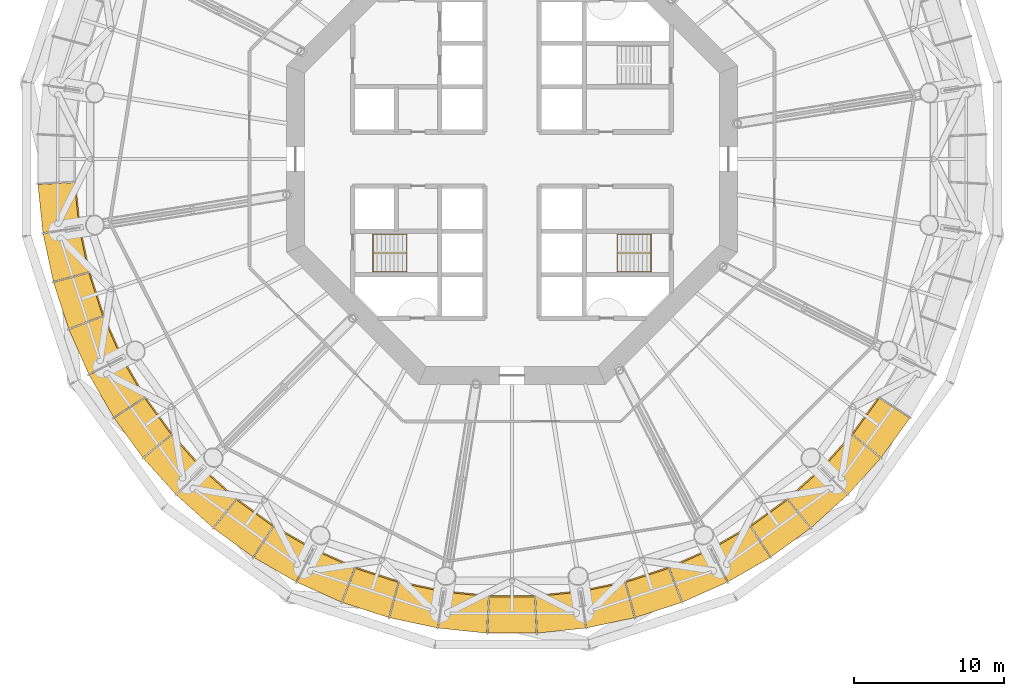
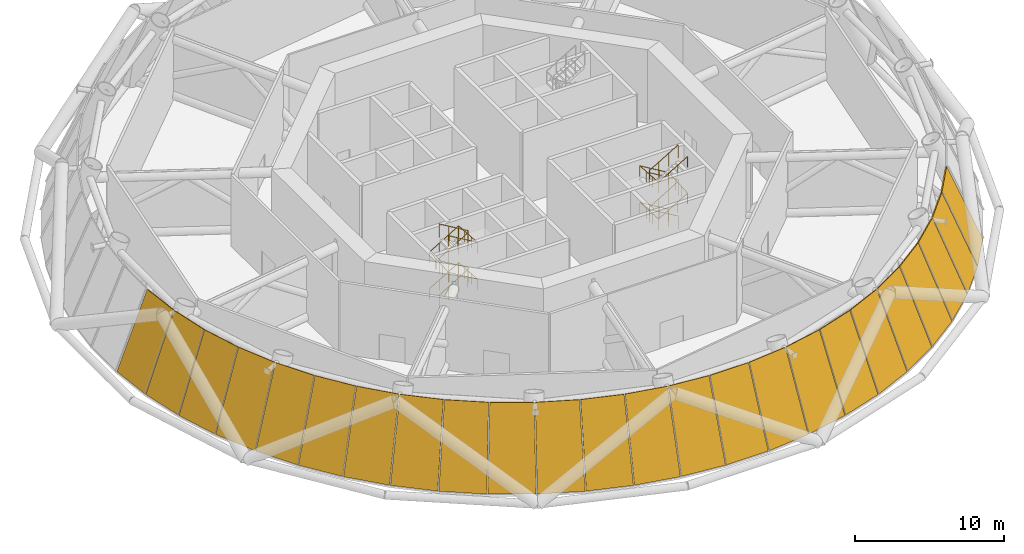
# One storey, part 17 of 18: 24 shading devices, 4 railings.
"""IFC4 building model written with IfcOpenShell, lengths in metres."""

from ifc_helpers import new_model, si_unit, direction, frame, origin, origin_2d, place, context, subcontext, project, spatial, polyline, circle, outline, extrude, material, layer, layer_set, type_object, element, save


model = new_model("IFC4")

# Units and contexts
model_context = context("Model", 3, precision=1e-05, world=origin(), true_north=direction((0.0, 1.0)))
body_context = subcontext(model_context, "Body", "Model", "MODEL_VIEW")
ifc_project = project(units=[si_unit("LENGTHUNIT", "METRE"), si_unit("AREAUNIT", "SQUARE_METRE"), si_unit("VOLUMEUNIT", "CUBIC_METRE"), si_unit("PLANEANGLEUNIT", "RADIAN"), si_unit("MASSUNIT", "GRAM", prefix="KILO")], contexts=[model_context])

# Site, building, storey
site_placement = place(None, origin())
site = spatial("IfcSite", under=ifc_project, at=site_placement, CompositionType="ELEMENT")
building_placement = place(site_placement, origin())
building = spatial("IfcBuilding", under=site, at=building_placement, Name="Entoto Ring Tower", CompositionType="ELEMENT")
storey_placement = place(building_placement, frame((0.0, 0.0, 138.0)))
storey = spatial("IfcBuildingStorey", under=building, at=storey_placement, Name="L31", CompositionType="ELEMENT", Elevation=138.0)

# Shading devices
ifc_material_1 = material(Name="Anodised aluminium", Category="aluminium")
ifc_layer = layer(ifc_material_1, 0.10009765625)
ifc_layer_set = layer_set([ifc_layer], Name="Anodised aluminium")
shading_device_type = type_object("IfcShadingDeviceType", Name="Louvre bank 100 mm anodised aluminium", PredefinedType="JALOUSIE", material=ifc_layer_set)
shading_device_1_placement = place(storey_placement, frame((58.455078125, 78.306640625, 0.03857421875), z_axis=(-0.918020988674, -0.096476902825, 0.384616265355), x_axis=(0.104513003067, -0.99452352014, -8.888352e-06)))
element("IfcShadingDevice", 1, at=shading_device_1_placement, inside=storey, type_object=shading_device_type, Name="LOUVRE L31-29", PredefinedType="JALOUSIE", context=body_context, shape_type="SweptSolid", body=[
    extrude(outline(polyline([(0.0, 0.0), (3.2266478530153275, 0.0), (3.099590097024741, 6.2958494066413015), (0.12675687393021692, 6.295789711517468), (0.0, 0.0)])), origin(), (0.0, 0.0, -1.0), 0.10009765625),
])
shading_device_2_placement = place(storey_placement, frame((58.804931640625, 75.0185546875, 0.03857421875), z_axis=(-0.902909840712, -0.191938318663, 0.384595243566), x_axis=(0.20793140203, -0.978143410779, 2.7928e-07)))
element("IfcShadingDevice", 2, at=shading_device_2_placement, inside=storey, type_object=shading_device_type, Name="LOUVRE L31-30", PredefinedType="JALOUSIE", context=body_context, shape_type="SweptSolid", body=[
    extrude(outline(polyline([(0.0, 0.0), (3.2265271884556905, -5.551115123125783e-17), (3.0997850063183683, 6.295758883647002), (0.12684836673709754, 6.295760759300498), (0.0, 0.0)])), origin(), (0.0, 0.0, -1.0), 0.10009765625),
])
shading_device_3_placement = place(storey_placement, frame((59.496337890625, 71.78515625, 0.03857421875), z_axis=(-0.877885494944, -0.285273709756, 0.384624450977), x_axis=(0.309050917079, -0.951045493439, 7.907044e-06)))
element("IfcShadingDevice", 3, at=shading_device_3_placement, inside=storey, type_object=shading_device_type, Name="LOUVRE L31-31", PredefinedType="JALOUSIE", context=body_context, shape_type="SweptSolid", body=[
    extrude(outline(polyline([(0.0, 0.0), (3.2268346798809784, 0.0), (3.099878226218656, 6.295816269775997), (0.1269738169212568, 6.295869376740003), (0.0, 0.0)])), origin(), (0.0, 0.0, -1.0), 0.10009765625),
])
shading_device_4_placement = place(storey_placement, frame((60.522216796875, 68.6416015625, 0.03857421875), z_axis=(-0.843273052985, -0.375454431841, 0.384609578299), x_axis=(0.406743440729, -0.913542431084, 5.7945e-06)))
element("IfcShadingDevice", 4, at=shading_device_4_placement, inside=storey, type_object=shading_device_type, Name="LOUVRE L31-32", PredefinedType="JALOUSIE", context=body_context, shape_type="SweptSolid", body=[
    extrude(outline(polyline([(0.0, 0.0), (3.2267490357089774, -5.551115123125783e-17), (3.0998564130350026, 6.295781097947797), (0.12677052247417445, 6.29582001653252), (0.0, 0.0)])), origin(), (0.0, 0.0, -1.0), 0.10009765625),
])
shading_device_5_placement = place(storey_placement, frame((61.870849609375, 65.62255859375, 0.03857421875), z_axis=(-0.799398656854, -0.46155085017, 0.384620072444), x_axis=(0.500017783545, -0.866015136158, 9.15765e-06)))
element("IfcShadingDevice", 5, at=shading_device_5_placement, inside=storey, type_object=shading_device_type, Name="LOUVRE L31-33", PredefinedType="JALOUSIE", context=body_context, shape_type="SweptSolid", body=[
    extrude(outline(polyline([(0.0, 0.0), (3.226813178689988, -1.1102230246251565e-16), (3.099792724888256, 6.2957996274384), (0.12707839944664825, 6.295861131761754), (0.0, 0.0)])), origin(), (0.0, 0.0, -1.0), 0.10009765625),
])
shading_device_6_placement = place(storey_placement, frame((63.52783203125, 62.76123046875, 0.03857421875), z_axis=(-0.746802221329, -0.542553903896, 0.384605906852), x_axis=(0.587767918098, -0.809029588046, 1.0986568e-05)))
element("IfcShadingDevice", 6, at=shading_device_6_placement, inside=storey, type_object=shading_device_type, Name="LOUVRE L31-34", PredefinedType="JALOUSIE", context=body_context, shape_type="SweptSolid", body=[
    extrude(outline(polyline([(0.0, 0.0), (3.226885337080147, -1.1102230246251565e-16), (3.0999857743016874, 6.295753227516928), (0.12703301764701475, 6.29582701839054), (0.0, 0.0)])), origin(), (0.0, 0.0, -1.0), 0.10009765625),
])
shading_device_7_placement = place(storey_placement, frame((65.474853515625, 60.08837890625, 0.03857421875), z_axis=(-0.685983358776, -0.617646737618, 0.384628832764), x_axis=(0.669124159607, -0.743150630054, 9.037892e-06)))
element("IfcShadingDevice", 7, at=shading_device_7_placement, inside=storey, type_object=shading_device_type, Name="LOUVRE L31-35", PredefinedType="JALOUSIE", context=body_context, shape_type="SweptSolid", body=[
    extrude(outline(polyline([(0.0, 0.0), (3.226796766588704, 0.0), (3.099923533200757, 6.2958249246981355), (0.12689207459241947, 6.295885627895602), (0.0, 0.0)])), origin(), (0.0, 0.0, -1.0), 0.10009765625),
])
shading_device_8_placement = place(storey_placement, frame((67.6904296875, 57.634033203125, 0.03857421875), z_axis=(-0.617646737618, -0.685983358776, 0.384628832764), x_axis=(0.743150630054, -0.669124159607, -9.037892e-06)))
element("IfcShadingDevice", 8, at=shading_device_8_placement, inside=storey, type_object=shading_device_type, Name="LOUVRE L31-36", PredefinedType="JALOUSIE", context=body_context, shape_type="SweptSolid", body=[
    extrude(outline(polyline([(0.0, 0.0), (3.226796766588704, 0.0), (3.099904691996284, 6.295885627895602), (0.12687323338794687, 6.2958249246981355), (0.0, 0.0)])), origin(), (0.0, 0.0, -1.0), 0.10009765625),
])
shading_device_9_placement = place(storey_placement, frame((70.150634765625, 55.424560546875, 0.03857421875), z_axis=(-0.542553903896, -0.746802221329, 0.384605906852), x_axis=(0.809029588046, -0.587767918098, -1.0986568e-05)))
element("IfcShadingDevice", 9, at=shading_device_9_placement, inside=storey, type_object=shading_device_type, Name="LOUVRE L31-37", PredefinedType="JALOUSIE", context=body_context, shape_type="SweptSolid", body=[
    extrude(outline(polyline([(0.0, 0.0), (3.226885337080147, 1.1102230246251565e-16), (3.0998523194331318, 6.29582701839054), (0.12689956277845987, 6.295753227516929), (0.0, 0.0)])), origin(), (0.0, 0.0, -1.0), 0.10009765625),
])
shading_device_10_placement = place(storey_placement, frame((72.828125, 53.484375, 0.03857421875), z_axis=(-0.46155085017, -0.799398656854, 0.384620072444), x_axis=(0.866015136158, -0.500017783545, -9.15765e-06)))
element("IfcShadingDevice", 10, at=shading_device_10_placement, inside=storey, type_object=shading_device_type, Name="LOUVRE L31-38", PredefinedType="JALOUSIE", context=body_context, shape_type="SweptSolid", body=[
    extrude(outline(polyline([(0.0, 0.0), (3.226813178689988, 1.1102230246251565e-16), (3.0997347792433394, 6.295861131761754), (0.12702045380173252, 6.2957996274384), (0.0, 0.0)])), origin(), (0.0, 0.0, -1.0), 0.10009765625),
])
shading_device_11_placement = place(storey_placement, frame((75.69384765625, 51.834716796875, 0.03857421875), z_axis=(-0.375454431841, -0.843273052985, 0.384609578299), x_axis=(0.913542431084, -0.406743440729, -5.7945e-06)))
element("IfcShadingDevice", 11, at=shading_device_11_placement, inside=storey, type_object=shading_device_type, Name="LOUVRE L31-39", PredefinedType="JALOUSIE", context=body_context, shape_type="SweptSolid", body=[
    extrude(outline(polyline([(0.0, 0.0), (3.2267490357089774, 5.551115123125783e-17), (3.0999785132348032, 6.29582001653252), (0.12689262267397503, 6.295781097947797), (0.0, 0.0)])), origin(), (0.0, 0.0, -1.0), 0.10009765625),
])
shading_device_12_placement = place(storey_placement, frame((78.71630859375, 50.49365234375, 0.03857421875), z_axis=(-0.285273709756, -0.877885494944, 0.384624450977), x_axis=(0.951045493439, -0.309050917079, -7.907044e-06)))
element("IfcShadingDevice", 12, at=shading_device_12_placement, inside=storey, type_object=shading_device_type, Name="LOUVRE L31-40", PredefinedType="JALOUSIE", context=body_context, shape_type="SweptSolid", body=[
    extrude(outline(polyline([(0.0, 0.0), (3.2268346798809784, 0.0), (3.0998608629597215, 6.295869376740003), (0.1269564536623214, 6.295816269775997), (0.0, 0.0)])), origin(), (0.0, 0.0, -1.0), 0.10009765625),
])
shading_device_13_placement = place(storey_placement, frame((81.862548828125, 49.475830078125, 0.03857421875), z_axis=(-0.191938318663, -0.902909840712, 0.384595243566), x_axis=(0.978143410779, -0.20793140203, -2.7928e-07)))
element("IfcShadingDevice", 13, at=shading_device_13_placement, inside=storey, type_object=shading_device_type, Name="LOUVRE L31-41", PredefinedType="JALOUSIE", context=body_context, shape_type="SweptSolid", body=[
    extrude(outline(polyline([(0.0, 0.0), (3.2265271884556905, 5.551115123125783e-17), (3.099678821718593, 6.295760759300498), (0.12674218213732258, 6.295758883647002), (0.0, 0.0)])), origin(), (0.0, 0.0, -1.0), 0.10009765625),
])
shading_device_14_placement = place(storey_placement, frame((85.09765625, 48.792236328125, 0.03857421875), z_axis=(-0.096476902825, -0.918020988674, 0.384616265355), x_axis=(0.99452352014, -0.104513003067, 8.888352e-06)))
element("IfcShadingDevice", 14, at=shading_device_14_placement, inside=storey, type_object=shading_device_type, Name="LOUVRE L31-42", PredefinedType="JALOUSIE", context=body_context, shape_type="SweptSolid", body=[
    extrude(outline(polyline([(0.0, 0.0), (3.2266478530153275, 0.0), (3.09989097908511, 6.295789711517468), (0.12705775599058625, 6.2958494066413015), (0.0, 0.0)])), origin(), (0.0, 0.0, -1.0), 0.10009765625),
])
shading_device_15_placement = place(storey_placement, frame((88.38671875, 48.450927734375, 0.03857421875), z_axis=(0.0, -0.923081512173, 0.384604370599), x_axis=(1.0, 0.0, 0.0)))
element("IfcShadingDevice", 15, at=shading_device_15_placement, inside=storey, type_object=shading_device_type, Name="LOUVRE L31-43", PredefinedType="JALOUSIE", context=body_context, shape_type="SweptSolid", body=[
    extrude(outline(polyline([(0.0, 0.0), (3.2265625, 0.0), (3.099853515625, 6.295785757659698), (0.126708984375, 6.295785757659698), (0.0, 0.0)])), origin(), (0.0, 0.0, -1.0), 0.10009765625),
])
shading_device_16_placement = place(storey_placement, frame((91.693359375, 48.455078125, 0.03857421875), z_axis=(0.096476902825, -0.918020988674, 0.384616265355), x_axis=(0.99452352014, 0.104513003067, -8.888352e-06)))
element("IfcShadingDevice", 16, at=shading_device_16_placement, inside=storey, type_object=shading_device_type, Name="LOUVRE L31-44", PredefinedType="JALOUSIE", context=body_context, shape_type="SweptSolid", body=[
    extrude(outline(polyline([(0.0, 0.0), (3.2266478530153275, 0.0), (3.099590097024741, 6.2958494066413015), (0.12675687393021692, 6.295789711517468), (0.0, 0.0)])), origin(), (0.0, 0.0, -1.0), 0.10009765625),
])
shading_device_17_placement = place(storey_placement, frame((94.9814453125, 48.804931640625, 0.03857421875), z_axis=(0.191938318663, -0.902909840712, 0.384595243566), x_axis=(0.978143410779, 0.20793140203, 2.7928e-07)))
element("IfcShadingDevice", 17, at=shading_device_17_placement, inside=storey, type_object=shading_device_type, Name="LOUVRE L31-45", PredefinedType="JALOUSIE", context=body_context, shape_type="SweptSolid", body=[
    extrude(outline(polyline([(0.0, 0.0), (3.2265271884556905, -5.551115123125783e-17), (3.0997850063183683, 6.295758883647002), (0.12684836673709754, 6.295760759300498), (0.0, 0.0)])), origin(), (0.0, 0.0, -1.0), 0.10009765625),
])
shading_device_18_placement = place(storey_placement, frame((98.21484375, 49.496337890625, 0.03857421875), z_axis=(0.285273709756, -0.877885494944, 0.384624450977), x_axis=(0.951045493439, 0.309050917079, 7.907044e-06)))
element("IfcShadingDevice", 18, at=shading_device_18_placement, inside=storey, type_object=shading_device_type, Name="LOUVRE L31-46", PredefinedType="JALOUSIE", context=body_context, shape_type="SweptSolid", body=[
    extrude(outline(polyline([(0.0, 0.0), (3.2268346798809784, 0.0), (3.099878226218656, 6.295816269775997), (0.1269738169212568, 6.295869376740003), (0.0, 0.0)])), origin(), (0.0, 0.0, -1.0), 0.10009765625),
])
shading_device_19_placement = place(storey_placement, frame((101.3583984375, 50.522216796875, 0.03857421875), z_axis=(0.375454431841, -0.843273052985, 0.384609578299), x_axis=(0.913542431084, 0.406743440729, 5.7945e-06)))
element("IfcShadingDevice", 19, at=shading_device_19_placement, inside=storey, type_object=shading_device_type, Name="LOUVRE L31-47", PredefinedType="JALOUSIE", context=body_context, shape_type="SweptSolid", body=[
    extrude(outline(polyline([(0.0, 0.0), (3.2267490357089774, -5.551115123125783e-17), (3.0998564130350026, 6.295781097947797), (0.12677052247417445, 6.29582001653252), (0.0, 0.0)])), origin(), (0.0, 0.0, -1.0), 0.10009765625),
])
shading_device_20_placement = place(storey_placement, frame((104.37744140625, 51.870849609375, 0.03857421875), z_axis=(0.46155085017, -0.799398656854, 0.384620072444), x_axis=(0.866015136158, 0.500017783545, 9.15765e-06)))
element("IfcShadingDevice", 20, at=shading_device_20_placement, inside=storey, type_object=shading_device_type, Name="LOUVRE L31-48", PredefinedType="JALOUSIE", context=body_context, shape_type="SweptSolid", body=[
    extrude(outline(polyline([(0.0, 0.0), (3.226813178689988, -1.1102230246251565e-16), (3.099792724888256, 6.2957996274384), (0.12707839944664825, 6.295861131761754), (0.0, 0.0)])), origin(), (0.0, 0.0, -1.0), 0.10009765625),
])
shading_device_21_placement = place(storey_placement, frame((107.23876953125, 53.52783203125, 0.03857421875), z_axis=(0.542553903896, -0.746802221329, 0.384605906852), x_axis=(0.809029588046, 0.587767918098, 1.0986568e-05)))
element("IfcShadingDevice", 21, at=shading_device_21_placement, inside=storey, type_object=shading_device_type, Name="LOUVRE L31-49", PredefinedType="JALOUSIE", context=body_context, shape_type="SweptSolid", body=[
    extrude(outline(polyline([(0.0, 0.0), (3.226885337080147, -1.1102230246251565e-16), (3.0999857743016874, 6.295753227516928), (0.12703301764701475, 6.29582701839054), (0.0, 0.0)])), origin(), (0.0, 0.0, -1.0), 0.10009765625),
])
shading_device_22_placement = place(storey_placement, frame((109.91162109375, 55.474853515625, 0.03857421875), z_axis=(0.617646737618, -0.685983358776, 0.384628832764), x_axis=(0.743150630054, 0.669124159607, 9.037892e-06)))
element("IfcShadingDevice", 22, at=shading_device_22_placement, inside=storey, type_object=shading_device_type, Name="LOUVRE L31-50", PredefinedType="JALOUSIE", context=body_context, shape_type="SweptSolid", body=[
    extrude(outline(polyline([(0.0, 0.0), (3.226796766588704, 0.0), (3.099923533200757, 6.2958249246981355), (0.12689207459241947, 6.295885627895602), (0.0, 0.0)])), origin(), (0.0, 0.0, -1.0), 0.10009765625),
])
shading_device_23_placement = place(storey_placement, frame((112.365966796875, 57.6904296875, 0.03857421875), z_axis=(0.685983358776, -0.617646737618, 0.384628832764), x_axis=(0.669124159607, 0.743150630054, -9.037892e-06)))
element("IfcShadingDevice", 23, at=shading_device_23_placement, inside=storey, type_object=shading_device_type, Name="LOUVRE L31-51", PredefinedType="JALOUSIE", context=body_context, shape_type="SweptSolid", body=[
    extrude(outline(polyline([(0.0, 0.0), (3.226796766588704, 0.0), (3.099904691996284, 6.295885627895602), (0.12687323338794687, 6.2958249246981355), (0.0, 0.0)])), origin(), (0.0, 0.0, -1.0), 0.10009765625),
])
shading_device_24_placement = place(storey_placement, frame((114.575439453125, 60.150634765625, 0.03857421875), z_axis=(0.746802221329, -0.542553903896, 0.384605906852), x_axis=(0.587767918098, 0.809029588046, -1.0986568e-05)))
element("IfcShadingDevice", 24, at=shading_device_24_placement, inside=storey, type_object=shading_device_type, Name="LOUVRE L31-52", PredefinedType="JALOUSIE", context=body_context, shape_type="SweptSolid", body=[
    extrude(outline(polyline([(0.0, 0.0), (3.226885337080147, 1.1102230246251565e-16), (3.0998523194331318, 6.29582701839054), (0.12689956277845987, 6.295753227516929), (0.0, 0.0)])), origin(), (0.0, 0.0, -1.0), 0.10009765625),
])

# Railings
ifc_material_2 = material(Name="Steel S275", Category="steel")
railing_type_1 = type_object("IfcRailingType", Name="Stair guard 1100 mm steel", PredefinedType="GUARDRAIL", material=ifc_material_2)
railing_1_placement = place(storey_placement, frame((80.75, 73.75, 0.166748046875)))
element("IfcRailing", 25, at=railing_1_placement, inside=storey, type_object=railing_type_1, Name="Guard ST2", PredefinedType="GUARDRAIL", context=body_context, shape_type="SweptSolid", body=[
    extrude(circle(Radius=0.02392578125, at=origin_2d()), frame((0.0, 0.0, 1.076171875), z_axis=(0.859305625298, 0.0, 0.511462454469), x_axis=(0.0, 1.0, 0.0)), (0.0, 0.0, 1.0), 2.606689453125),
    extrude(circle(Radius=0.02392578125, at=origin_2d()), frame((2.239990234375, 0.0, 2.4091796875), z_axis=(0.0, 0.0, 1.0), x_axis=(1.0, 0.0, 0.0)), (0.0, 0.0, 1.0), 0.166748046875),
    extrude(circle(Radius=0.02392578125, at=origin_2d()), frame((2.239990234375, 0.0, 2.576171875), z_axis=(-0.859305625298, 0.0, 0.511462454469), x_axis=(0.0, -1.0, 0.0)), (0.0, 0.0, 1.0), 2.606689453125),
    extrude(circle(Radius=0.02392578125, at=origin_2d()), frame((0.0, 0.0, 3.9091796875), z_axis=(0.0, 0.0, 1.0), x_axis=(1.0, 0.0, 0.0)), (0.0, 0.0, 1.0), 0.166748046875),
    extrude(circle(Radius=0.02392578125, at=origin_2d()), frame((0.0, 0.0, 4.076171875), z_axis=(0.859305625298, 0.0, 0.511462454469), x_axis=(0.0, 1.0, 0.0)), (0.0, 0.0, 1.0), 2.606689453125),
    extrude(circle(Radius=0.02392578125, at=origin_2d()), frame((2.239990234375, 0.0, 5.4091796875), z_axis=(0.0, 0.0, 1.0), x_axis=(1.0, 0.0, 0.0)), (0.0, 0.0, 1.0), 0.166748046875),
    extrude(circle(Radius=0.02392578125, at=origin_2d()), frame((2.239990234375, 0.0, 5.576171875), z_axis=(-0.859305625298, 0.0, 0.511462454469), x_axis=(0.0, -1.0, 0.0)), (0.0, 0.0, 1.0), 2.606689453125),
    extrude(circle(Radius=0.02099609375, at=origin_2d()), origin(), (0.0, 0.0, 1.0), 1.052001953125),
    extrude(circle(Radius=0.02099609375, at=origin_2d()), frame((0.74658203125, 0.0, 0.4443359375)), (0.0, 0.0, 1.0), 1.052001953125),
    extrude(circle(Radius=0.02099609375, at=origin_2d()), frame((1.493408203125, 0.0, 0.888916015625)), (0.0, 0.0, 1.0), 1.052001953125),
    extrude(circle(Radius=0.02099609375, at=origin_2d()), frame((2.239990234375, 0.0, 1.333251953125)), (0.0, 0.0, 1.0), 1.052001953125),
    extrude(circle(Radius=0.02099609375, at=origin_2d()), frame((2.239990234375, 0.0, 1.5)), (0.0, 0.0, 1.0), 1.052001953125),
    extrude(circle(Radius=0.02099609375, at=origin_2d()), frame((1.493408203125, 0.0, 1.9443359375)), (0.0, 0.0, 1.0), 1.052001953125),
    extrude(circle(Radius=0.02099609375, at=origin_2d()), frame((0.74658203125, 0.0, 2.388916015625)), (0.0, 0.0, 1.0), 1.052001953125),
    extrude(circle(Radius=0.02099609375, at=origin_2d()), frame((0.0, 0.0, 2.833251953125)), (0.0, 0.0, 1.0), 1.052001953125),
    extrude(circle(Radius=0.02099609375, at=origin_2d()), frame((0.0, 0.0, 3.0)), (0.0, 0.0, 1.0), 1.052001953125),
    extrude(circle(Radius=0.02099609375, at=origin_2d()), frame((0.74658203125, 0.0, 3.4443359375)), (0.0, 0.0, 1.0), 1.052001953125),
    extrude(circle(Radius=0.02099609375, at=origin_2d()), frame((1.493408203125, 0.0, 3.888916015625)), (0.0, 0.0, 1.0), 1.052001953125),
    extrude(circle(Radius=0.02099609375, at=origin_2d()), frame((2.239990234375, 0.0, 4.333251953125)), (0.0, 0.0, 1.0), 1.052001953125),
    extrude(circle(Radius=0.02099609375, at=origin_2d()), frame((2.239990234375, 0.0, 4.5)), (0.0, 0.0, 1.0), 1.052001953125),
    extrude(circle(Radius=0.02099609375, at=origin_2d()), frame((1.493408203125, 0.0, 4.9443359375)), (0.0, 0.0, 1.0), 1.052001953125),
    extrude(circle(Radius=0.02099609375, at=origin_2d()), frame((0.74658203125, 0.0, 5.388916015625)), (0.0, 0.0, 1.0), 1.052001953125),
    extrude(circle(Radius=0.02099609375, at=origin_2d()), frame((0.0, 0.0, 5.833251953125)), (0.0, 0.0, 1.0), 1.052001953125),
])
railing_2_placement = place(storey_placement, frame((99.25, 73.75, 0.166748046875)))
element("IfcRailing", 26, at=railing_2_placement, inside=storey, type_object=railing_type_1, Name="Guard ST3", PredefinedType="GUARDRAIL", context=body_context, shape_type="SweptSolid", body=[
    extrude(circle(Radius=0.02392578125, at=origin_2d()), frame((0.0, 0.0, 1.076171875), z_axis=(-0.859305625298, 0.0, 0.511462454469), x_axis=(0.0, -1.0, 0.0)), (0.0, 0.0, 1.0), 2.606689453125),
    extrude(circle(Radius=0.02392578125, at=origin_2d()), frame((-2.239990234375, 0.0, 2.4091796875), z_axis=(0.0, 0.0, 1.0), x_axis=(1.0, 0.0, 0.0)), (0.0, 0.0, 1.0), 0.166748046875),
    extrude(circle(Radius=0.02392578125, at=origin_2d()), frame((-2.239990234375, 0.0, 2.576171875), z_axis=(0.859305625298, 0.0, 0.511462454469), x_axis=(0.0, 1.0, 0.0)), (0.0, 0.0, 1.0), 2.606689453125),
    extrude(circle(Radius=0.02392578125, at=origin_2d()), frame((0.0, 0.0, 3.9091796875), z_axis=(0.0, 0.0, 1.0), x_axis=(1.0, 0.0, 0.0)), (0.0, 0.0, 1.0), 0.166748046875),
    extrude(circle(Radius=0.02392578125, at=origin_2d()), frame((0.0, 0.0, 4.076171875), z_axis=(-0.859305625298, 0.0, 0.511462454469), x_axis=(0.0, -1.0, 0.0)), (0.0, 0.0, 1.0), 2.606689453125),
    extrude(circle(Radius=0.02392578125, at=origin_2d()), frame((-2.239990234375, 0.0, 5.4091796875), z_axis=(0.0, 0.0, 1.0), x_axis=(1.0, 0.0, 0.0)), (0.0, 0.0, 1.0), 0.166748046875),
    extrude(circle(Radius=0.02392578125, at=origin_2d()), frame((-2.239990234375, 0.0, 5.576171875), z_axis=(0.859305625298, 0.0, 0.511462454469), x_axis=(0.0, 1.0, 0.0)), (0.0, 0.0, 1.0), 2.606689453125),
    extrude(circle(Radius=0.02099609375, at=origin_2d()), origin(), (0.0, 0.0, 1.0), 1.052001953125),
    extrude(circle(Radius=0.02099609375, at=origin_2d()), frame((-0.74658203125, 0.0, 0.4443359375)), (0.0, 0.0, 1.0), 1.052001953125),
    extrude(circle(Radius=0.02099609375, at=origin_2d()), frame((-1.493408203125, 0.0, 0.888916015625)), (0.0, 0.0, 1.0), 1.052001953125),
    extrude(circle(Radius=0.02099609375, at=origin_2d()), frame((-2.239990234375, 0.0, 1.333251953125)), (0.0, 0.0, 1.0), 1.052001953125),
    extrude(circle(Radius=0.02099609375, at=origin_2d()), frame((-2.239990234375, 0.0, 1.5)), (0.0, 0.0, 1.0), 1.052001953125),
    extrude(circle(Radius=0.02099609375, at=origin_2d()), frame((-1.493408203125, 0.0, 1.9443359375)), (0.0, 0.0, 1.0), 1.052001953125),
    extrude(circle(Radius=0.02099609375, at=origin_2d()), frame((-0.74658203125, 0.0, 2.388916015625)), (0.0, 0.0, 1.0), 1.052001953125),
    extrude(circle(Radius=0.02099609375, at=origin_2d()), frame((0.0, 0.0, 2.833251953125)), (0.0, 0.0, 1.0), 1.052001953125),
    extrude(circle(Radius=0.02099609375, at=origin_2d()), frame((0.0, 0.0, 3.0)), (0.0, 0.0, 1.0), 1.052001953125),
    extrude(circle(Radius=0.02099609375, at=origin_2d()), frame((-0.74658203125, 0.0, 3.4443359375)), (0.0, 0.0, 1.0), 1.052001953125),
    extrude(circle(Radius=0.02099609375, at=origin_2d()), frame((-1.493408203125, 0.0, 3.888916015625)), (0.0, 0.0, 1.0), 1.052001953125),
    extrude(circle(Radius=0.02099609375, at=origin_2d()), frame((-2.239990234375, 0.0, 4.333251953125)), (0.0, 0.0, 1.0), 1.052001953125),
    extrude(circle(Radius=0.02099609375, at=origin_2d()), frame((-2.239990234375, 0.0, 4.5)), (0.0, 0.0, 1.0), 1.052001953125),
    extrude(circle(Radius=0.02099609375, at=origin_2d()), frame((-1.493408203125, 0.0, 4.9443359375)), (0.0, 0.0, 1.0), 1.052001953125),
    extrude(circle(Radius=0.02099609375, at=origin_2d()), frame((-0.74658203125, 0.0, 5.388916015625)), (0.0, 0.0, 1.0), 1.052001953125),
    extrude(circle(Radius=0.02099609375, at=origin_2d()), frame((0.0, 0.0, 5.833251953125)), (0.0, 0.0, 1.0), 1.052001953125),
])
ifc_material_3 = material(Name="Steel S275", Category="steel")
railing_type_2 = type_object("IfcRailingType", Name="Stair handrail 900 mm steel", PredefinedType="HANDRAIL", material=ifc_material_3)
railing_3_placement = place(storey_placement, frame((80.75, 75.0, 0.166748046875)))
element("IfcRailing", 27, at=railing_3_placement, inside=storey, type_object=railing_type_2, Name="Handrail ST2", PredefinedType="HANDRAIL", context=body_context, shape_type="SweptSolid", body=[
    extrude(circle(Radius=0.02392578125, at=origin_2d()), frame((0.0, 0.0, 0.8759765625), z_axis=(0.859305625298, 0.0, 0.511462454469), x_axis=(0.0, 1.0, 0.0)), (0.0, 0.0, 1.0), 2.606689453125),
    extrude(circle(Radius=0.02392578125, at=origin_2d()), frame((2.239990234375, 0.0, 2.208984375), z_axis=(0.0, -0.997783001586, 0.066551346688), x_axis=(1.0, 0.0, 0.0)), (0.0, 0.0, 1.0), 2.505615234375),
    extrude(circle(Radius=0.02392578125, at=origin_2d()), frame((2.239990234375, -2.5, 2.3759765625), z_axis=(-0.859305625298, 0.0, 0.511462454469), x_axis=(0.0, -1.0, 0.0)), (0.0, 0.0, 1.0), 2.606689453125),
    extrude(circle(Radius=0.02392578125, at=origin_2d()), frame((0.0, -2.5, 3.708984375), z_axis=(0.0, 0.997783001586, 0.066551346688), x_axis=(-1.0, 0.0, 0.0)), (0.0, 0.0, 1.0), 2.505615234375),
    extrude(circle(Radius=0.02392578125, at=origin_2d()), frame((0.0, 0.0, 3.8759765625), z_axis=(0.859305625298, 0.0, 0.511462454469), x_axis=(0.0, 1.0, 0.0)), (0.0, 0.0, 1.0), 2.606689453125),
    extrude(circle(Radius=0.02392578125, at=origin_2d()), frame((2.239990234375, 0.0, 5.208984375), z_axis=(0.0, -0.997783001586, 0.066551346688), x_axis=(1.0, 0.0, 0.0)), (0.0, 0.0, 1.0), 2.505615234375),
    extrude(circle(Radius=0.02392578125, at=origin_2d()), frame((2.239990234375, -2.5, 5.3759765625), z_axis=(-0.859305625298, 0.0, 0.511462454469), x_axis=(0.0, -1.0, 0.0)), (0.0, 0.0, 1.0), 2.606689453125),
    extrude(circle(Radius=0.02099609375, at=origin_2d()), origin(), (0.0, 0.0, 1.0), 0.851806640625),
    extrude(circle(Radius=0.02099609375, at=origin_2d()), frame((0.74658203125, 0.0, 0.4443359375)), (0.0, 0.0, 1.0), 0.851806640625),
    extrude(circle(Radius=0.02099609375, at=origin_2d()), frame((1.493408203125, 0.0, 0.888916015625)), (0.0, 0.0, 1.0), 0.851806640625),
    extrude(circle(Radius=0.02099609375, at=origin_2d()), frame((2.239990234375, 0.0, 1.333251953125)), (0.0, 0.0, 1.0), 0.851806640625),
    extrude(circle(Radius=0.02099609375, at=origin_2d()), frame((2.239990234375, -0.833251953125, 1.388916015625)), (0.0, 0.0, 1.0), 0.851806640625),
    extrude(circle(Radius=0.02099609375, at=origin_2d()), frame((2.239990234375, -1.666748046875, 1.4443359375)), (0.0, 0.0, 1.0), 0.851806640625),
    extrude(circle(Radius=0.02099609375, at=origin_2d()), frame((2.239990234375, -2.5, 1.5)), (0.0, 0.0, 1.0), 0.851806640625),
    extrude(circle(Radius=0.02099609375, at=origin_2d()), frame((1.493408203125, -2.5, 1.9443359375)), (0.0, 0.0, 1.0), 0.851806640625),
    extrude(circle(Radius=0.02099609375, at=origin_2d()), frame((0.74658203125, -2.5, 2.388916015625)), (0.0, 0.0, 1.0), 0.851806640625),
    extrude(circle(Radius=0.02099609375, at=origin_2d()), frame((0.0, -2.5, 2.833251953125)), (0.0, 0.0, 1.0), 0.851806640625),
    extrude(circle(Radius=0.02099609375, at=origin_2d()), frame((0.0, -1.666748046875, 2.888916015625)), (0.0, 0.0, 1.0), 0.851806640625),
    extrude(circle(Radius=0.02099609375, at=origin_2d()), frame((0.0, -0.833251953125, 2.9443359375)), (0.0, 0.0, 1.0), 0.851806640625),
    extrude(circle(Radius=0.02099609375, at=origin_2d()), frame((0.0, 0.0, 3.0)), (0.0, 0.0, 1.0), 0.851806640625),
    extrude(circle(Radius=0.02099609375, at=origin_2d()), frame((0.74658203125, 0.0, 3.4443359375)), (0.0, 0.0, 1.0), 0.851806640625),
    extrude(circle(Radius=0.02099609375, at=origin_2d()), frame((1.493408203125, 0.0, 3.888916015625)), (0.0, 0.0, 1.0), 0.851806640625),
    extrude(circle(Radius=0.02099609375, at=origin_2d()), frame((2.239990234375, 0.0, 4.333251953125)), (0.0, 0.0, 1.0), 0.851806640625),
    extrude(circle(Radius=0.02099609375, at=origin_2d()), frame((2.239990234375, -0.833251953125, 4.388916015625)), (0.0, 0.0, 1.0), 0.851806640625),
    extrude(circle(Radius=0.02099609375, at=origin_2d()), frame((2.239990234375, -1.666748046875, 4.4443359375)), (0.0, 0.0, 1.0), 0.851806640625),
    extrude(circle(Radius=0.02099609375, at=origin_2d()), frame((2.239990234375, -2.5, 4.5)), (0.0, 0.0, 1.0), 0.851806640625),
    extrude(circle(Radius=0.02099609375, at=origin_2d()), frame((1.493408203125, -2.5, 4.9443359375)), (0.0, 0.0, 1.0), 0.851806640625),
    extrude(circle(Radius=0.02099609375, at=origin_2d()), frame((0.74658203125, -2.5, 5.388916015625)), (0.0, 0.0, 1.0), 0.851806640625),
    extrude(circle(Radius=0.02099609375, at=origin_2d()), frame((0.0, -2.5, 5.833251953125)), (0.0, 0.0, 1.0), 0.851806640625),
])
railing_4_placement = place(storey_placement, frame((99.25, 75.0, 0.166748046875)))
element("IfcRailing", 28, at=railing_4_placement, inside=storey, type_object=railing_type_2, Name="Handrail ST3", PredefinedType="HANDRAIL", context=body_context, shape_type="SweptSolid", body=[
    extrude(circle(Radius=0.02392578125, at=origin_2d()), frame((0.0, 0.0, 0.8759765625), z_axis=(-0.859305625298, 0.0, 0.511462454469), x_axis=(0.0, -1.0, 0.0)), (0.0, 0.0, 1.0), 2.606689453125),
    extrude(circle(Radius=0.02392578125, at=origin_2d()), frame((-2.239990234375, 0.0, 2.208984375), z_axis=(0.0, -0.997783001586, 0.066551346688), x_axis=(1.0, 0.0, 0.0)), (0.0, 0.0, 1.0), 2.505615234375),
    extrude(circle(Radius=0.02392578125, at=origin_2d()), frame((-2.239990234375, -2.5, 2.3759765625), z_axis=(0.859305625298, 0.0, 0.511462454469), x_axis=(0.0, 1.0, 0.0)), (0.0, 0.0, 1.0), 2.606689453125),
    extrude(circle(Radius=0.02392578125, at=origin_2d()), frame((0.0, -2.5, 3.708984375), z_axis=(0.0, 0.997783001586, 0.066551346688), x_axis=(-1.0, 0.0, 0.0)), (0.0, 0.0, 1.0), 2.505615234375),
    extrude(circle(Radius=0.02392578125, at=origin_2d()), frame((0.0, 0.0, 3.8759765625), z_axis=(-0.859305625298, 0.0, 0.511462454469), x_axis=(0.0, -1.0, 0.0)), (0.0, 0.0, 1.0), 2.606689453125),
    extrude(circle(Radius=0.02392578125, at=origin_2d()), frame((-2.239990234375, 0.0, 5.208984375), z_axis=(0.0, -0.997783001586, 0.066551346688), x_axis=(1.0, 0.0, 0.0)), (0.0, 0.0, 1.0), 2.505615234375),
    extrude(circle(Radius=0.02392578125, at=origin_2d()), frame((-2.239990234375, -2.5, 5.3759765625), z_axis=(0.859305625298, 0.0, 0.511462454469), x_axis=(0.0, 1.0, 0.0)), (0.0, 0.0, 1.0), 2.606689453125),
    extrude(circle(Radius=0.02099609375, at=origin_2d()), origin(), (0.0, 0.0, 1.0), 0.851806640625),
    extrude(circle(Radius=0.02099609375, at=origin_2d()), frame((-0.74658203125, 0.0, 0.4443359375)), (0.0, 0.0, 1.0), 0.851806640625),
    extrude(circle(Radius=0.02099609375, at=origin_2d()), frame((-1.493408203125, 0.0, 0.888916015625)), (0.0, 0.0, 1.0), 0.851806640625),
    extrude(circle(Radius=0.02099609375, at=origin_2d()), frame((-2.239990234375, 0.0, 1.333251953125)), (0.0, 0.0, 1.0), 0.851806640625),
    extrude(circle(Radius=0.02099609375, at=origin_2d()), frame((-2.239990234375, -0.833251953125, 1.388916015625)), (0.0, 0.0, 1.0), 0.851806640625),
    extrude(circle(Radius=0.02099609375, at=origin_2d()), frame((-2.239990234375, -1.666748046875, 1.4443359375)), (0.0, 0.0, 1.0), 0.851806640625),
    extrude(circle(Radius=0.02099609375, at=origin_2d()), frame((-2.239990234375, -2.5, 1.5)), (0.0, 0.0, 1.0), 0.851806640625),
    extrude(circle(Radius=0.02099609375, at=origin_2d()), frame((-1.493408203125, -2.5, 1.9443359375)), (0.0, 0.0, 1.0), 0.851806640625),
    extrude(circle(Radius=0.02099609375, at=origin_2d()), frame((-0.74658203125, -2.5, 2.388916015625)), (0.0, 0.0, 1.0), 0.851806640625),
    extrude(circle(Radius=0.02099609375, at=origin_2d()), frame((0.0, -2.5, 2.833251953125)), (0.0, 0.0, 1.0), 0.851806640625),
    extrude(circle(Radius=0.02099609375, at=origin_2d()), frame((0.0, -1.666748046875, 2.888916015625)), (0.0, 0.0, 1.0), 0.851806640625),
    extrude(circle(Radius=0.02099609375, at=origin_2d()), frame((0.0, -0.833251953125, 2.9443359375)), (0.0, 0.0, 1.0), 0.851806640625),
    extrude(circle(Radius=0.02099609375, at=origin_2d()), frame((0.0, 0.0, 3.0)), (0.0, 0.0, 1.0), 0.851806640625),
    extrude(circle(Radius=0.02099609375, at=origin_2d()), frame((-0.74658203125, 0.0, 3.4443359375)), (0.0, 0.0, 1.0), 0.851806640625),
    extrude(circle(Radius=0.02099609375, at=origin_2d()), frame((-1.493408203125, 0.0, 3.888916015625)), (0.0, 0.0, 1.0), 0.851806640625),
    extrude(circle(Radius=0.02099609375, at=origin_2d()), frame((-2.239990234375, 0.0, 4.333251953125)), (0.0, 0.0, 1.0), 0.851806640625),
    extrude(circle(Radius=0.02099609375, at=origin_2d()), frame((-2.239990234375, -0.833251953125, 4.388916015625)), (0.0, 0.0, 1.0), 0.851806640625),
    extrude(circle(Radius=0.02099609375, at=origin_2d()), frame((-2.239990234375, -1.666748046875, 4.4443359375)), (0.0, 0.0, 1.0), 0.851806640625),
    extrude(circle(Radius=0.02099609375, at=origin_2d()), frame((-2.239990234375, -2.5, 4.5)), (0.0, 0.0, 1.0), 0.851806640625),
    extrude(circle(Radius=0.02099609375, at=origin_2d()), frame((-1.493408203125, -2.5, 4.9443359375)), (0.0, 0.0, 1.0), 0.851806640625),
    extrude(circle(Radius=0.02099609375, at=origin_2d()), frame((-0.74658203125, -2.5, 5.388916015625)), (0.0, 0.0, 1.0), 0.851806640625),
    extrude(circle(Radius=0.02099609375, at=origin_2d()), frame((0.0, -2.5, 5.833251953125)), (0.0, 0.0, 1.0), 0.851806640625),
])

save(model, "model.ifc")
